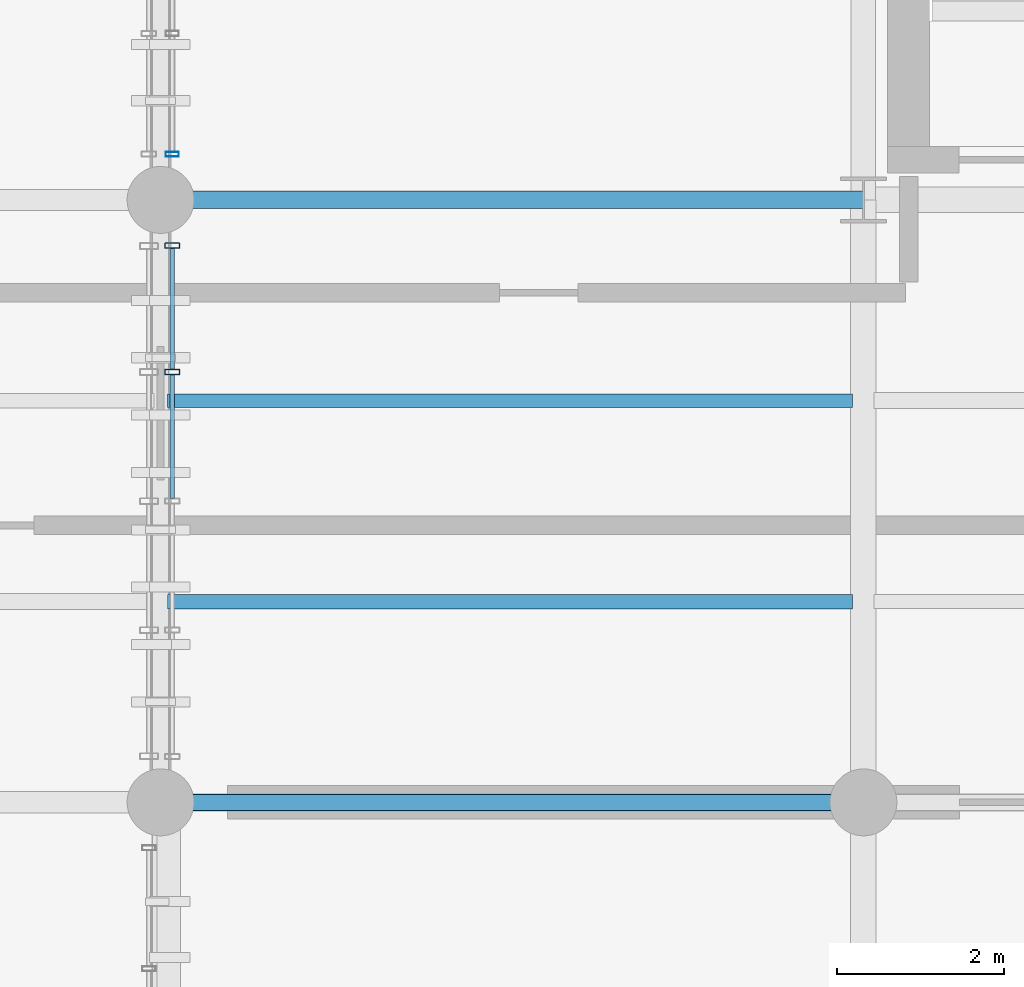
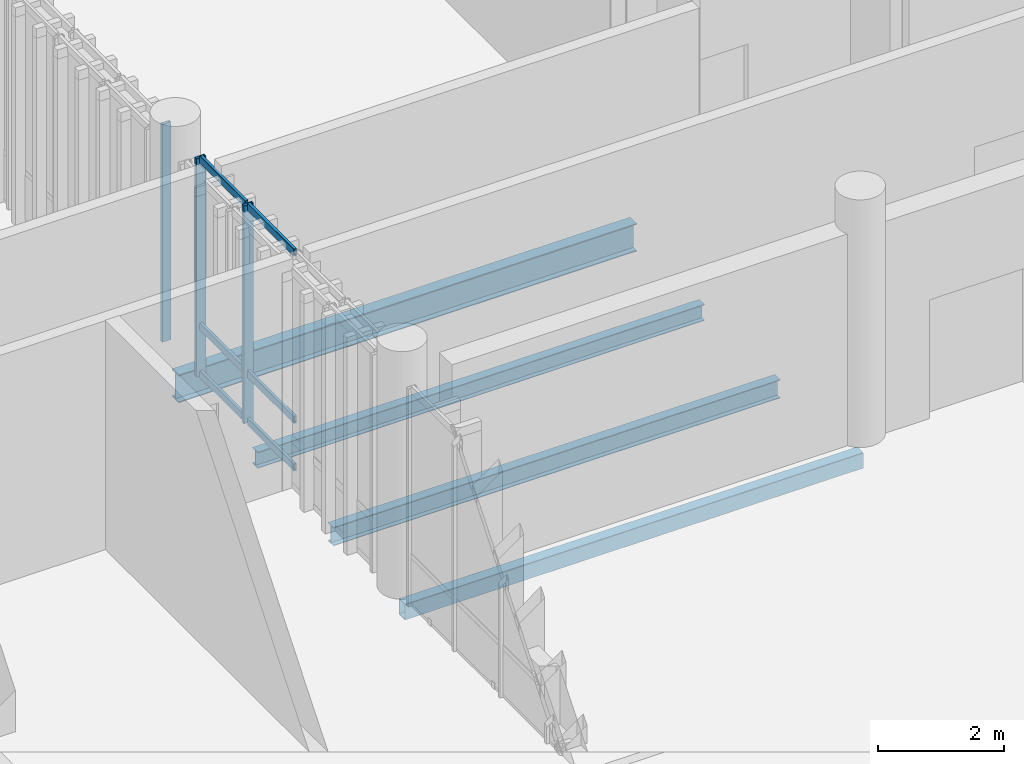
# One storey, part 35 of 109: 9 members, 4 beams, 2 elements without a shape of their own.
"""IFC4 building model written with IfcOpenShell, lengths in metres."""

from ifc_helpers import new_model, si_unit, direction, frame, origin_with_axes, origin_2d_with_axis, place, context, subcontext, project, spatial, hollow_rectangle, i_section, extrude, material, material_profile, profile_set, type_object, element, aggregate, save


model = new_model("IFC4")

# Units and contexts
model_context = context("Model", 3, precision=1e-05, world=origin_with_axes(), true_north=direction((0.0, 1.0)))
body_context = subcontext(model_context, "Body", "Model", "MODEL_VIEW")
ifc_project = project(units=[si_unit("LENGTHUNIT", "METRE"), si_unit("AREAUNIT", "SQUARE_METRE"), si_unit("VOLUMEUNIT", "CUBIC_METRE"), si_unit("PLANEANGLEUNIT", "RADIAN"), si_unit("MASSUNIT", "GRAM", prefix="KILO"), si_unit("THERMODYNAMICTEMPERATUREUNIT", "KELVIN")], contexts=[model_context])

# Site, building, storey
site_placement = place(None, origin_with_axes())
site = spatial("IfcSite", under=ifc_project, at=site_placement, CompositionType="ELEMENT")
building_placement = place(site_placement, origin_with_axes())
building = spatial("IfcBuilding", under=site, at=building_placement, Name="Montbau Bow Law Courts", CompositionType="ELEMENT")
storey_placement = place(building_placement, frame((0.0, 0.0, 10.8), z_axis=(0.0, 0.0, 1.0), x_axis=(1.0, 0.0, 0.0)))
storey = spatial("IfcBuildingStorey", under=building, at=storey_placement, Name="L02", CompositionType="ELEMENT", Elevation=10.8)

# Beams
ifc_material_1 = material(Name="Steel CSA G40.21 Grade 350W (350 MPa)", Category="steel")
ifc_material_profile_1 = material_profile(ifc_material_1, i_section(OverallWidth=0.21, OverallDepth=0.537, WebThickness=0.0109, FlangeThickness=0.0174, at=origin_2d_with_axis()), Name="W530X101", Category="Main", Priority=0)
ifc_profile_set_1 = profile_set([ifc_material_profile_1], Name="Steel CSA G40.21 Grade 350W (350 MPa)")
beam_type_1 = type_object("IfcBeamType", Name="B-FLR-06", PredefinedType="BEAM", material=ifc_profile_set_1)
beam_1_placement = place(None, frame((46.8, 46.2, 10.292), z_axis=(1.0, 0.0, 0.0), x_axis=(0.0, 1.0, 0.0)))
element("IfcBeam", 1, at=beam_1_placement, inside=storey, type_object=beam_type_1, Name="BM-L02-S0839:bm2_0842", PredefinedType="BEAM", context=body_context, shape_type="SweptSolid", body=[
    extrude(i_section(OverallWidth=0.21, OverallDepth=0.537, WebThickness=0.0109, FlangeThickness=0.0174, at=origin_2d_with_axis()), origin_with_axes(), (0.0, 0.0, 1.0), 8.4),
])
ifc_material_profile_2 = material_profile(ifc_material_1, i_section(OverallWidth=0.172, OverallDepth=0.358, WebThickness=0.0079, FlangeThickness=0.0131, at=origin_2d_with_axis()), Name="W360X57", Category="Main", Priority=0)
ifc_profile_set_2 = profile_set([ifc_material_profile_2], Name="Steel CSA G40.21 Grade 350W (350 MPa)")
beam_type_2 = type_object("IfcBeamType", Name="B-JST-03", PredefinedType="JOIST", material=ifc_profile_set_2)
beam_2_placement = place(None, frame((46.88, 41.4, 10.301), z_axis=(1.0, 0.0, 0.0), x_axis=(0.0, 1.0, 0.0)))
element("IfcBeam", 2, at=beam_2_placement, inside=storey, type_object=beam_type_2, Name="JST-L02-S0434:jst2_0434", PredefinedType="JOIST", context=body_context, shape_type="SweptSolid", body=[
    extrude(i_section(OverallWidth=0.172, OverallDepth=0.358, WebThickness=0.0079, FlangeThickness=0.0131, at=origin_2d_with_axis()), origin_with_axes(), (0.0, 0.0, 1.0), 8.191),
])
ifc_material_profile_3 = material_profile(ifc_material_1, i_section(OverallWidth=0.166, OverallDepth=0.313, WebThickness=0.0066, FlangeThickness=0.0112, at=origin_2d_with_axis()), Name="W310X45", Category="Main", Priority=0)
ifc_profile_set_3 = profile_set([ifc_material_profile_3], Name="Steel CSA G40.21 Grade 350W (350 MPa)")
beam_type_3 = type_object("IfcBeamType", Name="B-JST-04", PredefinedType="JOIST", material=ifc_profile_set_3)
beam_3_placement = place(None, frame((46.88, 43.8, 10.324), z_axis=(1.0, 0.0, 0.0), x_axis=(0.0, 1.0, 0.0)))
element("IfcBeam", 3, at=beam_3_placement, inside=storey, type_object=beam_type_3, Name="JST-L02-S0435:jst2_0435", PredefinedType="JOIST", context=body_context, shape_type="SweptSolid", body=[
    extrude(i_section(OverallWidth=0.166, OverallDepth=0.313, WebThickness=0.0066, FlangeThickness=0.0112, at=origin_2d_with_axis()), origin_with_axes(), (0.0, 0.0, 1.0), 8.191),
])
ifc_material_2 = material(Name="Steel CSA G40.21 Grade 350WT (350 MPa)", Category="steel")
ifc_material_profile_4 = material_profile(ifc_material_2, hollow_rectangle(XDim=0.203, YDim=0.305, WallThickness=0.0127, InnerFilletRadius=0.0254, OuterFilletRadius=0.0127, at=origin_2d_with_axis()), Name="HSS305X203X13", Category="Main", Priority=0)
ifc_profile_set_4 = profile_set([ifc_material_profile_4], Name="Steel CSA G40.21 Grade 350WT (350 MPa)")
beam_type_4 = type_object("IfcBeamType", Name="B-SPN-02", PredefinedType="SPANDREL", material=ifc_profile_set_4)
beam_4_placement = place(None, frame((46.8, 39.0, 10.328), z_axis=(1.0, 0.0, 0.0), x_axis=(0.0, 1.0, 0.0)))
element("IfcBeam", 4, at=beam_4_placement, inside=storey, type_object=beam_type_4, Name="SPN-L02-S0470:bm2_0473", PredefinedType="SPANDREL", context=body_context, shape_type="SweptSolid", body=[
    extrude(hollow_rectangle(XDim=0.203, YDim=0.305, WallThickness=0.0127, InnerFilletRadius=0.0254, OuterFilletRadius=0.0127, at=origin_2d_with_axis()), origin_with_axes(), (0.0, 0.0, 1.0), 8.4),
])

# Curtain wall, members
ifc_material_3 = material(Name="Thermally Broken Extruded Aluminium AA 6063-T6", Category="aluminium")
curtain_wall_type = type_object("IfcCurtainWallType", Name="CW-CRM-01", PredefinedType="NOTDEFINED", material=ifc_material_3)
curtain_wall_1_placement = place(None, frame((46.94, 39.515, 10.8), z_axis=(0.0, 0.0, 1.0), x_axis=(1.0, 0.0, 0.0)))
curtain_wall_1 = element("IfcCurtainWall", 5, at=curtain_wall_1_placement, inside=storey, type_object=curtain_wall_type, Name="CW-L02-169:cw_0169", PredefinedType="NOTDEFINED")
ifc_material_profile_5 = material_profile(ifc_material_3, hollow_rectangle(XDim=0.065, YDim=0.18, WallThickness=0.005, InnerFilletRadius=0.01, OuterFilletRadius=0.005, at=origin_2d_with_axis()), Name="CWM-180X65", Category="Main", Priority=0)
ifc_profile_set_5 = profile_set([ifc_material_profile_5], Name="Thermally Broken Extruded Aluminium AA 6063-T6")
member_type_1 = type_object("IfcMemberType", Name="M-MUL-02", PredefinedType="MULLION", material=ifc_profile_set_5)
member_1_placement = place(None, frame((46.94, 44.143, 10.8), z_axis=(0.0, 0.0, 1.0), x_axis=(0.0, 1.0, 0.0)))
member_1 = element("IfcMember", 6, at=member_1_placement, type_object=member_type_1, Name="CW-L02-169-M04:cw_0169_M04", PredefinedType="MULLION", context=body_context, shape_type="SweptSolid", body=[
    extrude(hollow_rectangle(XDim=0.065, YDim=0.18, WallThickness=0.005, InnerFilletRadius=0.01, OuterFilletRadius=0.005, at=origin_2d_with_axis()), origin_with_axes(), (0.0, 0.0, 1.0), 4.22),
])
member_2_placement = place(None, frame((46.94, 45.653, 10.8), z_axis=(0.0, 0.0, 1.0), x_axis=(0.0, 1.0, 0.0)))
member_2 = element("IfcMember", 7, at=member_2_placement, type_object=member_type_1, Name="CW-L02-169-M05:cw_0169_M05", PredefinedType="MULLION", context=body_context, shape_type="SweptSolid", body=[
    extrude(hollow_rectangle(XDim=0.065, YDim=0.18, WallThickness=0.005, InnerFilletRadius=0.01, OuterFilletRadius=0.005, at=origin_2d_with_axis()), origin_with_axes(), (0.0, 0.0, 1.0), 4.22),
])

# Curtain wall, member
curtain_wall_2_placement = place(None, frame((46.94, 46.715, 10.8), z_axis=(0.0, 0.0, 1.0), x_axis=(1.0, 0.0, 0.0)))
curtain_wall_2 = element("IfcCurtainWall", 8, at=curtain_wall_2_placement, inside=storey, type_object=curtain_wall_type, Name="CW-L02-170:cw_0170", PredefinedType="NOTDEFINED")
ifc_material_profile_6 = material_profile(ifc_material_3, hollow_rectangle(XDim=0.06, YDim=0.16, WallThickness=0.004, InnerFilletRadius=0.008, OuterFilletRadius=0.004, at=origin_2d_with_axis()), Name="CWM-160X60", Category="Main", Priority=0)
ifc_profile_set_6 = profile_set([ifc_material_profile_6], Name="Thermally Broken Extruded Aluminium AA 6063-T6")
member_type_2 = type_object("IfcMemberType", Name="M-MUL-03", PredefinedType="MULLION", material=ifc_profile_set_6)
member_3_placement = place(None, frame((46.94, 46.745, 10.8), z_axis=(0.0, 0.0, 1.0), x_axis=(0.0, 1.0, 0.0)))
member_3 = element("IfcMember", 9, at=member_3_placement, type_object=member_type_2, Name="CW-L02-170-M01:cw_0170_M01", PredefinedType="MULLION", context=body_context, shape_type="SweptSolid", body=[
    extrude(hollow_rectangle(XDim=0.06, YDim=0.16, WallThickness=0.004, InnerFilletRadius=0.008, OuterFilletRadius=0.004, at=origin_2d_with_axis()), origin_with_axes(), (0.0, 0.0, 1.0), 4.22),
])
aggregate(curtain_wall_2, [member_3])

# Member
ifc_material_profile_7 = material_profile(ifc_material_3, hollow_rectangle(XDim=0.055, YDim=0.14, WallThickness=0.004, InnerFilletRadius=0.008, OuterFilletRadius=0.004, at=origin_2d_with_axis()), Name="CWT-140X55", Category="Main", Priority=0)
ifc_profile_set_7 = profile_set([ifc_material_profile_7], Name="Thermally Broken Extruded Aluminium AA 6063-T6")
member_type_3 = type_object("IfcMemberType", Name="M-TRN-02", PredefinedType="USERDEFINED", material=ifc_profile_set_7)
member_4_placement = place(None, frame((46.94, 42.634, 10.828), z_axis=(0.0, 1.0, 0.0), x_axis=(-1.0, 0.0, 0.0)))
member_4 = element("IfcMember", 10, at=member_4_placement, type_object=member_type_3, Name="CW-L02-169-T03-1:cw_0169_T03_1", ObjectType="TRANSOM", PredefinedType="USERDEFINED", context=body_context, shape_type="SweptSolid", body=[
    extrude(hollow_rectangle(XDim=0.055, YDim=0.14, WallThickness=0.004, InnerFilletRadius=0.008, OuterFilletRadius=0.004, at=origin_2d_with_axis()), origin_with_axes(), (0.0, 0.0, 1.0), 1.475),
])

member_5_placement = place(None, frame((46.94, 42.634, 11.75), z_axis=(0.0, 1.0, 0.0), x_axis=(-1.0, 0.0, 0.0)))
member_5 = element("IfcMember", 11, at=member_5_placement, type_object=member_type_3, Name="CW-L02-169-T03-2:cw_0169_T03_2", ObjectType="TRANSOM", PredefinedType="USERDEFINED", context=body_context, shape_type="SweptSolid", body=[
    extrude(hollow_rectangle(XDim=0.055, YDim=0.14, WallThickness=0.004, InnerFilletRadius=0.008, OuterFilletRadius=0.004, at=origin_2d_with_axis()), origin_with_axes(), (0.0, 0.0, 1.0), 1.475),
])

member_6_placement = place(None, frame((46.94, 42.634, 14.992), z_axis=(0.0, 1.0, 0.0), x_axis=(-1.0, 0.0, 0.0)))
member_6 = element("IfcMember", 12, at=member_6_placement, type_object=member_type_3, Name="CW-L02-169-T03-3:cw_0169_T03_3", ObjectType="TRANSOM", PredefinedType="USERDEFINED", context=body_context, shape_type="SweptSolid", body=[
    extrude(hollow_rectangle(XDim=0.055, YDim=0.14, WallThickness=0.004, InnerFilletRadius=0.008, OuterFilletRadius=0.004, at=origin_2d_with_axis()), origin_with_axes(), (0.0, 0.0, 1.0), 1.475),
])

member_7_placement = place(None, frame((46.94, 44.177, 10.828), z_axis=(0.0, 1.0, 0.0), x_axis=(-1.0, 0.0, 0.0)))
member_7 = element("IfcMember", 13, at=member_7_placement, type_object=member_type_3, Name="CW-L02-169-T04-1:cw_0169_T04_1", ObjectType="TRANSOM", PredefinedType="USERDEFINED", context=body_context, shape_type="SweptSolid", body=[
    extrude(hollow_rectangle(XDim=0.055, YDim=0.14, WallThickness=0.004, InnerFilletRadius=0.008, OuterFilletRadius=0.004, at=origin_2d_with_axis()), origin_with_axes(), (0.0, 0.0, 1.0), 1.442),
])

member_8_placement = place(None, frame((46.94, 44.177, 11.75), z_axis=(0.0, 1.0, 0.0), x_axis=(-1.0, 0.0, 0.0)))
member_8 = element("IfcMember", 14, at=member_8_placement, type_object=member_type_3, Name="CW-L02-169-T04-2:cw_0169_T04_2", ObjectType="TRANSOM", PredefinedType="USERDEFINED", context=body_context, shape_type="SweptSolid", body=[
    extrude(hollow_rectangle(XDim=0.055, YDim=0.14, WallThickness=0.004, InnerFilletRadius=0.008, OuterFilletRadius=0.004, at=origin_2d_with_axis()), origin_with_axes(), (0.0, 0.0, 1.0), 1.442),
])

member_9_placement = place(None, frame((46.94, 44.177, 14.992), z_axis=(0.0, 1.0, 0.0), x_axis=(-1.0, 0.0, 0.0)))
member_9 = element("IfcMember", 15, at=member_9_placement, type_object=member_type_3, Name="CW-L02-169-T04-3:cw_0169_T04_3", ObjectType="TRANSOM", PredefinedType="USERDEFINED", context=body_context, shape_type="SweptSolid", body=[
    extrude(hollow_rectangle(XDim=0.055, YDim=0.14, WallThickness=0.004, InnerFilletRadius=0.008, OuterFilletRadius=0.004, at=origin_2d_with_axis()), origin_with_axes(), (0.0, 0.0, 1.0), 1.442),
])

aggregate(curtain_wall_1, [member_1, member_2, member_4, member_5, member_6, member_7, member_8, member_9])

save(model, "model.ifc")
